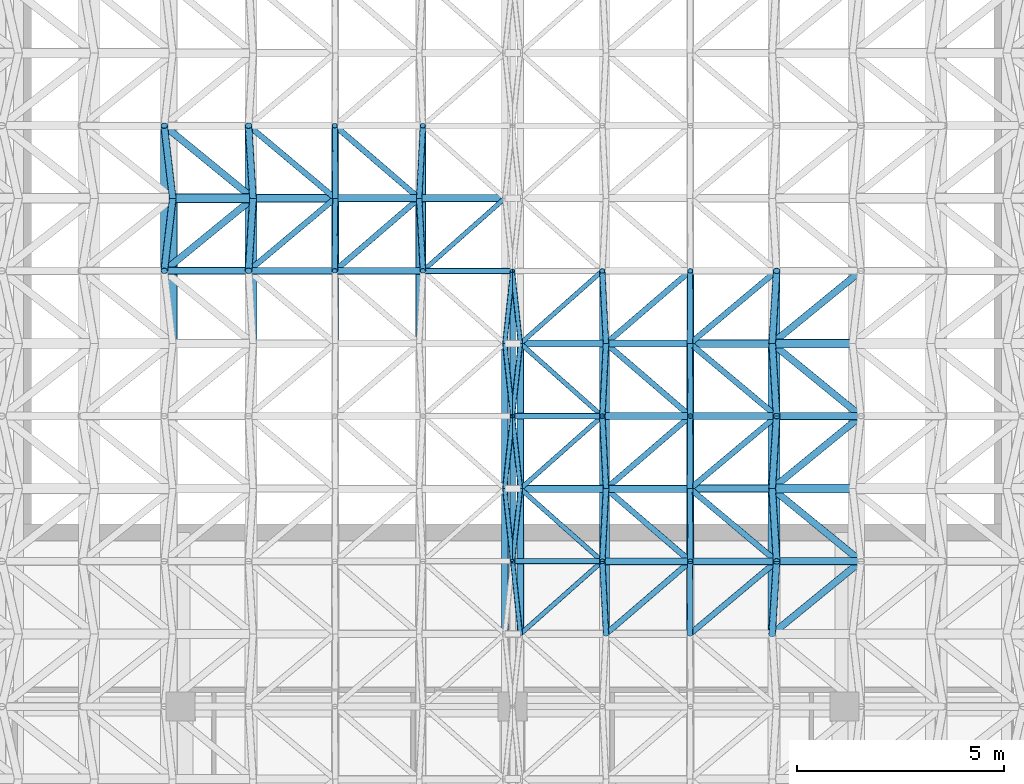
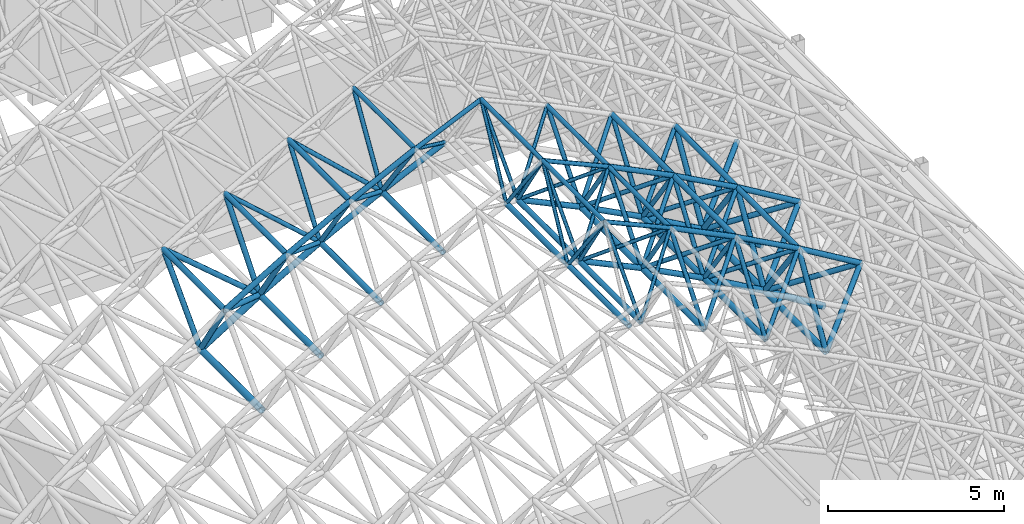
# One storey, part 45 of 141: 109 members.
"""IFC4 building model written with IfcOpenShell, lengths in metres."""

import ifcopenshell
import ifcopenshell.guid

model = None  # the IFC model being written
_history = None  # IfcOwnerHistory: only IFC2X3 demands one
_inside = {}  # id of a spatial element -> (the spatial element, [elements in it])
_under = {}  # id of a project, library or spatial element -> (it, [spatial elements below it])
_declared = {}  # id of a project -> (the project, [libraries it declares])
_typed = {}  # id of a type object -> (the type object, [elements of that type])
_made_of = {}  # id of a material, layer set ... -> (it, [elements and type objects made of it])


def new_model(schema):
    """Start an empty IFC model of exactly this schema.

    Asked for "IFC4X3", IfcOpenShell would pick the latest addendum, in which some entities
    have other attributes; the version numbers below select the first issue.
    IFC2X3 requires an IfcOwnerHistory on every rooted entity: one is made here for all.
    """
    global model, _history
    if schema == "IFC4X3":
        model = ifcopenshell.file(schema_version=(4, 3, 0, 0))
    else:
        model = ifcopenshell.file(schema=schema)
    _inside.clear()
    _under.clear()
    _declared.clear()
    _typed.clear()
    _made_of.clear()
    _history = None
    if model.schema == "IFC2X3":
        org = make("IfcOrganization", Name="unknown")
        user = make(
            "IfcPersonAndOrganization",
            ThePerson=make("IfcPerson", FamilyName="unknown"),
            TheOrganization=org,
        )
        app = make(
            "IfcApplication",
            ApplicationDeveloper=org,
            Version="unknown",
            ApplicationFullName="unknown",
            ApplicationIdentifier="unknown",
        )
        _history = make(
            "IfcOwnerHistory",
            OwningUser=user,
            OwningApplication=app,
            ChangeAction="ADDED",
            CreationDate=0,
        )
    return model


def make(cls, **values):
    """One entity of the class cls with the attributes given. An attribute that is None is left unset."""
    return model.create_entity(
        cls, **{name: value for name, value in values.items() if value is not None}
    )


def rooted(cls, **values):
    """An entity with a GlobalId (a new one), such as an element, a storey or a relation."""
    return make(cls, GlobalId=ifcopenshell.guid.new(), OwnerHistory=_history, **values)


def si_unit(unit_type, name, prefix=None):
    """IfcSIUnit, for example si_unit("LENGTHUNIT", "METRE", prefix="MILLI")."""
    return make("IfcSIUnit", UnitType=unit_type, Prefix=prefix, Name=name)


def assignment(units):
    """IfcUnitAssignment: the units of a project."""
    return None if units is None else make("IfcUnitAssignment", Units=units)


def point(xyz):
    """IfcCartesianPoint."""
    return None if xyz is None else make("IfcCartesianPoint", Coordinates=xyz)


def direction(xyz):
    """IfcDirection."""
    return None if xyz is None else make("IfcDirection", DirectionRatios=xyz)


def frame(location, z_axis=None, x_axis=None):
    """IfcAxis2Placement3D, a coordinate frame: its origin and axes. An axis left out is left unset."""
    return make(
        "IfcAxis2Placement3D",
        Location=point(location),
        Axis=direction(z_axis),
        RefDirection=direction(x_axis),
    )


def frame_2d(location, x_axis=None):
    """IfcAxis2Placement2D, a coordinate frame in the plane: its origin and x axis."""
    return make(
        "IfcAxis2Placement2D", Location=point(location), RefDirection=direction(x_axis)
    )


def origin():
    """The frame at (0, 0, 0) with its axes left unset."""
    return frame((0.0, 0.0, 0.0))


def origin_2d():
    """The frame at (0, 0) in the plane with its x axis left unset."""
    return frame_2d((0.0, 0.0))


def place(relative_to, where):
    """IfcLocalPlacement: puts the frame where relative to a parent placement (None: the world)."""
    return make(
        "IfcLocalPlacement", PlacementRelTo=relative_to, RelativePlacement=where
    )


def context(
    kind, dimensions, precision=None, world=None, true_north=None, identifier=None
):
    """IfcGeometricRepresentationContext, for example the 3D "Model" context."""
    return make(
        "IfcGeometricRepresentationContext",
        ContextIdentifier=identifier,
        ContextType=kind,
        CoordinateSpaceDimension=dimensions,
        Precision=precision,
        WorldCoordinateSystem=world,
        TrueNorth=true_north,
    )


def subcontext(parent, identifier, kind, view, scale=None):
    """IfcGeometricRepresentationSubContext, for example "Body" below "Model"."""
    return make(
        "IfcGeometricRepresentationSubContext",
        ContextIdentifier=identifier,
        ContextType=kind,
        ParentContext=parent,
        TargetScale=scale,
        TargetView=view,
    )


def project(units=None, contexts=None):
    """IfcProject with its units and contexts."""
    return rooted(
        "IfcProject",
        Name="project",
        RepresentationContexts=contexts,
        UnitsInContext=assignment(units),
    )


def spatial(cls, under=None, at=None, **own):
    """A site, building, storey or space (cls), placed at a placement, below another one or the project."""
    s = rooted(cls, ObjectPlacement=at, **own)
    if under is not None:
        _under.setdefault(under.id(), (under, []))[1].append(s)
    return s


def profile(cls, at=None, kind="AREA", **sizes):
    """A parametric profile (cls). Its sizes go by their IFC names, for example OverallWidth=200.0."""
    return make(cls, ProfileType=kind, Position=at, **sizes)


def hollow_circle(**sizes):
    """IfcCircleHollowProfileDef."""
    return profile("IfcCircleHollowProfileDef", **sizes)


def extrude(swept, where, along, depth):
    """IfcExtrudedAreaSolid: the profile swept, set in the frame where, extruded along a direction by depth."""
    return make(
        "IfcExtrudedAreaSolid",
        SweptArea=swept,
        Position=where,
        ExtrudedDirection=direction(along),
        Depth=depth,
    )


def shape(context_of_items, identifier, shape_type, items):
    """IfcShapeRepresentation: the items that make up one representation, for example the "Body"."""
    return make(
        "IfcShapeRepresentation",
        ContextOfItems=context_of_items,
        RepresentationIdentifier=identifier,
        RepresentationType=shape_type,
        Items=items,
    )


def material(Name=None, Category=None):
    """IfcMaterial."""
    return make("IfcMaterial", Name=Name, Category=Category)


def material_profile(
    of_material, cross_section, Name=None, Category=None, Priority=None
):
    """IfcMaterialProfile: a cross section and its material."""
    return make(
        "IfcMaterialProfile",
        Name=Name,
        Material=of_material,
        Profile=cross_section,
        Priority=Priority,
        Category=Category,
    )


def profile_set(profiles, Name=None, composite=None):
    """IfcMaterialProfileSet."""
    return make(
        "IfcMaterialProfileSet",
        Name=Name,
        MaterialProfiles=profiles,
        CompositeProfile=composite,
    )


def made_of(thing, what):
    """Note that an element or type object is made of a material, layer set ...; save() writes the relation."""
    if what is not None:
        _made_of.setdefault(what.id(), (what, []))[1].append(thing)
    return thing


def type_object(cls, material=None, **own):
    """A type object (cls), such as IfcWallType, which elements share."""
    return made_of(rooted(cls, **own), material)


def element(
    cls,
    number,
    at=None,
    inside=None,
    cuts=None,
    type_object=None,
    material=None,
    context=None,
    identifier="Body",
    shape_type=None,
    held_by="IfcProductDefinitionShape",
    body=None,
    shapes=None,
    **own,
):
    """One element of the class cls, such as IfcWall. Its Tag is "e" and its number.

    at: its placement. inside: the storey or other place that contains it. cuts: it is an
    opening in that element (IfcRelVoidsElement). A single representation is given by context,
    identifier, shape_type and body (its items); several are given by shapes. held_by: the class
    of the entity that holds the representations. save() writes the other relations.
    """
    e = rooted(cls, Tag="e%d" % number, ObjectPlacement=at, **own)
    if body is not None:
        shapes = [shape(context, identifier, shape_type, body)]
    if shapes is not None:
        e.Representation = make(held_by, Representations=shapes)
    if inside is not None:
        _inside.setdefault(inside.id(), (inside, []))[1].append(e)
    if cuts is not None:
        rooted(
            "IfcRelVoidsElement", RelatingBuildingElement=cuts, RelatedOpeningElement=e
        )
    if type_object is not None:
        _typed.setdefault(type_object.id(), (type_object, []))[1].append(e)
    return made_of(e, material)


def aggregate(whole, parts):
    """IfcRelAggregates: a whole, such as a stair, and the parts it consists of."""
    return rooted("IfcRelAggregates", RelatingObject=whole, RelatedObjects=parts)


def save(model, path):
    """Write the relations noted so far, then the file.

    IfcRelAggregates (storeys below a building ...), IfcRelContainedInSpatialStructure (elements
    in a storey), IfcRelDefinesByType, IfcRelAssociatesMaterial and IfcRelDeclares: one each for
    every whole, place, type object, material and project.
    """
    for whole, parts in _under.values():
        aggregate(whole, parts)
    for where, things in _inside.values():
        rooted(
            "IfcRelContainedInSpatialStructure",
            RelatedElements=things,
            RelatingStructure=where,
        )
    for kind, things in _typed.values():
        rooted("IfcRelDefinesByType", RelatedObjects=things, RelatingType=kind)
    for what, things in _made_of.values():
        rooted("IfcRelAssociatesMaterial", RelatedObjects=things, RelatingMaterial=what)
    for by, libraries in _declared.values():
        rooted("IfcRelDeclares", RelatingContext=by, RelatedDefinitions=libraries)
    model.write(path)


model = new_model("IFC4")

# Units and contexts
model_context = context("Model", 3, precision=1e-05, world=origin(), true_north=direction((0.0, 1.0)))
body_context = subcontext(model_context, "Body", "Model", "MODEL_VIEW")
ifc_project = project(units=[si_unit("LENGTHUNIT", "METRE"), si_unit("AREAUNIT", "SQUARE_METRE"), si_unit("VOLUMEUNIT", "CUBIC_METRE"), si_unit("PLANEANGLEUNIT", "RADIAN"), si_unit("MASSUNIT", "GRAM", prefix="KILO")], contexts=[model_context])

# Site, building, storey
site_placement = place(None, origin())
site = spatial("IfcSite", under=ifc_project, at=site_placement, CompositionType="ELEMENT")
building_placement = place(site_placement, origin())
building = spatial("IfcBuilding", under=site, at=building_placement, Name="Lantern Court Media Centre", CompositionType="ELEMENT")
storey_placement = place(building_placement, frame((0.0, 0.0, 9.60009765625)))
storey = spatial("IfcBuildingStorey", under=building, at=storey_placement, Name="L02", CompositionType="ELEMENT", Elevation=9.60009765625)

# Members
ifc_material = material(Name="Steel S355J2 (EN 10025-2)", Category="steel")
ifc_material_profile_1 = material_profile(ifc_material, hollow_circle(Radius=0.084228515625, WallThickness=0.00634765625, at=origin_2d()), Name="Studio Hall bottom CHS 168.3x6.3")
ifc_profile_set_1 = profile_set([ifc_material_profile_1], Name="Steel S355J2 (EN 10025-2)")
member_type_1 = type_object("IfcMemberType", Name="Studio Hall bottom CHS 168.3x6.3", PredefinedType="CHORD", material=ifc_profile_set_1)
for number, where, z_axis, x_axis, name in (
    (1, (87.812255859375, 13.75, 12.31884765625), (0.0, 1.0, 0.0), (-1.0, 0.0, 0.0), "Studio Hall bottom chord 08-05"),
    (2, (88.187744140625, 13.75, 12.31884765625), (0.0, 1.0, 0.0), (-1.0, 0.0, 0.0), "Studio Hall bottom chord 09-05"),
    (3, (87.812255859375, 17.25, 12.31884765625), (0.0, 1.0, 0.0), (-1.0, 0.0, 0.0), "Studio Hall bottom chord 08-06"),
    (4, (88.187744140625, 17.25, 12.31884765625), (0.0, 1.0, 0.0), (-1.0, 0.0, 0.0), "Studio Hall bottom chord 09-06"),
):
    element("IfcMember", number, at=place(storey_placement, frame(where, z_axis=z_axis, x_axis=x_axis)), inside=storey, type_object=member_type_1, Name=name, PredefinedType="CHORD", context=body_context, shape_type="SweptSolid", body=[
        extrude(hollow_circle(Radius=0.084228515625, WallThickness=0.00634765625, at=origin_2d()), origin(), (0.0, 0.0, 1.0), 3.5),
    ])
ifc_material_profile_2 = material_profile(ifc_material, hollow_circle(Radius=0.0888671875, WallThickness=0.008056640625, at=origin_2d()), Name="Studio Hall bottom CHS 177.8x8")
ifc_profile_set_2 = profile_set([ifc_material_profile_2], Name="Steel S355J2 (EN 10025-2)")
member_type_2 = type_object("IfcMemberType", Name="Studio Hall bottom CHS 177.8x8", PredefinedType="CHORD", material=ifc_profile_set_2)
for number, where, z_axis, x_axis, name in (
    (5, (90.251708984375, 13.75, 11.3466796875), (0.0, 1.0, 0.0), (-1.0, 0.0, 0.0), "Studio Hall bottom chord 10-05"),
    (6, (92.275634765625, 13.75, 10.2939453125), (0.0, 1.0, 0.0), (-1.0, 0.0, 0.0), "Studio Hall bottom chord 11-05"),
    (7, (90.251708984375, 17.25, 11.3466796875), (0.0, 1.0, 0.0), (-1.0, 0.0, 0.0), "Studio Hall bottom chord 10-06"),
    (8, (92.275634765625, 17.25, 10.2939453125), (0.0, 1.0, 0.0), (-1.0, 0.0, 0.0), "Studio Hall bottom chord 11-06"),
    (9, (83.724365234375, 20.75, 10.2939453125), (0.0, 1.0, 0.0), (-1.0, 0.0, 0.0), "Studio Hall bottom chord 06-07"),
    (10, (85.748291015625, 20.75, 11.3466796875), (0.0, 1.0, 0.0), (-1.0, 0.0, 0.0), "Studio Hall bottom chord 07-07"),
):
    element("IfcMember", number, at=place(storey_placement, frame(where, z_axis=z_axis, x_axis=x_axis)), inside=storey, type_object=member_type_2, Name=name, PredefinedType="CHORD", context=body_context, shape_type="SweptSolid", body=[
        extrude(hollow_circle(Radius=0.0888671875, WallThickness=0.008056640625, at=origin_2d()), origin(), (0.0, 0.0, 1.0), 3.5),
    ])
member_1_placement = place(storey_placement, frame((88.187744140625, 17.25, 12.31884765625), z_axis=(0.904668285171, 0.0, -0.426116526088), x_axis=(0.0, 1.0, 0.0)))
element("IfcMember", 11, at=member_1_placement, inside=storey, type_object=member_type_2, Name="Studio Hall bottom chord 09-06 across", PredefinedType="CHORD", context=body_context, shape_type="SweptSolid", body=[
    extrude(hollow_circle(Radius=0.0888671875, WallThickness=0.008056640625, at=origin_2d()), origin(), (0.0, 0.0, 1.0), 2.281494140625),
])
member_2_placement = place(storey_placement, frame((90.251708984375, 17.25, 11.3466796875), z_axis=(0.887164230848, 0.0, -0.461453819471), x_axis=(0.0, 1.0, 0.0)))
element("IfcMember", 12, at=member_2_placement, inside=storey, type_object=member_type_2, Name="Studio Hall bottom chord 10-06 across", PredefinedType="CHORD", context=body_context, shape_type="SweptSolid", body=[
    extrude(hollow_circle(Radius=0.0888671875, WallThickness=0.008056640625, at=origin_2d()), origin(), (0.0, 0.0, 1.0), 2.28125),
])
member_3_placement = place(storey_placement, frame((88.187744140625, 20.75, 12.31884765625), z_axis=(0.904668285171, 0.0, -0.426116526088), x_axis=(0.0, 1.0, 0.0)))
element("IfcMember", 13, at=member_3_placement, inside=storey, type_object=member_type_2, Name="Studio Hall bottom chord 09-07 across", PredefinedType="CHORD", context=body_context, shape_type="SweptSolid", body=[
    extrude(hollow_circle(Radius=0.0888671875, WallThickness=0.008056640625, at=origin_2d()), origin(), (0.0, 0.0, 1.0), 2.281494140625),
])
for number, where, z_axis, x_axis, name in (
    (14, (90.251708984375, 20.75, 11.3466796875), (0.887164230848, 0.0, -0.461453819471), (0.0, 1.0, 0.0), "Studio Hall bottom chord 10-07 across"),
    (15, (83.724365234375, 24.25, 10.2939453125), (0.887164230848, 0.0, 0.461453819471), (0.0, 1.0, 0.0), "Studio Hall bottom chord 06-08 across"),
):
    element("IfcMember", number, at=place(storey_placement, frame(where, z_axis=z_axis, x_axis=x_axis)), inside=storey, type_object=member_type_2, Name=name, PredefinedType="CHORD", context=body_context, shape_type="SweptSolid", body=[
        extrude(hollow_circle(Radius=0.0888671875, WallThickness=0.008056640625, at=origin_2d()), origin(), (0.0, 0.0, 1.0), 2.28125),
    ])
member_4_placement = place(storey_placement, frame((85.748291015625, 24.25, 11.3466796875), z_axis=(0.904668285171, 0.0, 0.426116526088), x_axis=(0.0, 1.0, 0.0)))
element("IfcMember", 16, at=member_4_placement, inside=storey, type_object=member_type_2, Name="Studio Hall bottom chord 07-08 across", PredefinedType="CHORD", context=body_context, shape_type="SweptSolid", body=[
    extrude(hollow_circle(Radius=0.0888671875, WallThickness=0.008056640625, at=origin_2d()), origin(), (0.0, 0.0, 1.0), 2.281494140625),
])
ifc_material_profile_3 = material_profile(ifc_material, hollow_circle(Radius=0.096923828125, WallThickness=0.008056640625, at=origin_2d()), Name="Studio Hall bottom CHS 193.7x8")
ifc_profile_set_3 = profile_set([ifc_material_profile_3], Name="Steel S355J2 (EN 10025-2)")
member_type_3 = type_object("IfcMemberType", Name="Studio Hall bottom CHS 193.7x8", PredefinedType="CHORD", material=ifc_profile_set_3)
for number, where, z_axis, x_axis, name in (
    (17, (94.25634765625, 13.75, 9.162109375), (0.0, 1.0, 0.0), (-1.0, 0.0, 0.0), "Studio Hall bottom chord 12-05"),
    (18, (94.25634765625, 17.25, 9.162109375), (0.0, 1.0, 0.0), (-1.0, 0.0, 0.0), "Studio Hall bottom chord 12-06"),
    (19, (81.74365234375, 20.75, 9.162109375), (0.0, 1.0, 0.0), (-1.0, 0.0, 0.0), "Studio Hall bottom chord 05-07"),
):
    element("IfcMember", number, at=place(storey_placement, frame(where, z_axis=z_axis, x_axis=x_axis)), inside=storey, type_object=member_type_3, Name=name, PredefinedType="CHORD", context=body_context, shape_type="SweptSolid", body=[
        extrude(hollow_circle(Radius=0.096923828125, WallThickness=0.008056640625, at=origin_2d()), origin(), (0.0, 0.0, 1.0), 3.5),
    ])
for number, where, z_axis, x_axis, name in (
    (20, (92.275634765625, 17.25, 10.2939453125), (0.868243142124, 0.0, -0.496138938357), (0.0, 1.0, 0.0), "Studio Hall bottom chord 11-06 across"),
    (21, (92.275634765625, 20.75, 10.2939453125), (0.868243142124, 0.0, -0.496138938357), (0.0, 1.0, 0.0), "Studio Hall bottom chord 11-07 across"),
    (22, (81.74365234375, 24.25, 9.162109375), (0.868243142124, 0.0, 0.496138938357), (0.0, 1.0, 0.0), "Studio Hall bottom chord 05-08 across"),
):
    element("IfcMember", number, at=place(storey_placement, frame(where, z_axis=z_axis, x_axis=x_axis)), inside=storey, type_object=member_type_3, Name=name, PredefinedType="CHORD", context=body_context, shape_type="SweptSolid", body=[
        extrude(hollow_circle(Radius=0.096923828125, WallThickness=0.008056640625, at=origin_2d()), origin(), (0.0, 0.0, 1.0), 2.28125),
    ])
ifc_material_profile_4 = material_profile(ifc_material, hollow_circle(Radius=0.109619140625, WallThickness=0.010009765625, at=origin_2d()), Name="Studio Hall bottom CHS 219.1x10")
ifc_profile_set_4 = profile_set([ifc_material_profile_4], Name="Steel S355J2 (EN 10025-2)")
member_type_4 = type_object("IfcMemberType", Name="Studio Hall bottom CHS 219.1x10", PredefinedType="CHORD", material=ifc_profile_set_4)
member_5_placement = place(storey_placement, frame((79.80908203125, 20.75, 7.953125), z_axis=(0.0, 1.0, 0.0), x_axis=(-1.0, 0.0, 0.0)))
element("IfcMember", 23, at=member_5_placement, inside=storey, type_object=member_type_4, Name="Studio Hall bottom chord 04-07", PredefinedType="CHORD", context=body_context, shape_type="SweptSolid", body=[
    extrude(hollow_circle(Radius=0.109619140625, WallThickness=0.010009765625, at=origin_2d()), origin(), (0.0, 0.0, 1.0), 3.5),
])
for number, where, z_axis, x_axis, name in (
    (24, (94.25634765625, 17.25, 9.162109375), (0.848022352453, 0.0, -0.529960460544), (0.0, 1.0, 0.0), "Studio Hall bottom chord 12-06 across"),
    (25, (94.25634765625, 20.75, 9.162109375), (0.848022352453, 0.0, -0.529960460544), (0.0, 1.0, 0.0), "Studio Hall bottom chord 12-07 across"),
    (26, (79.80908203125, 24.25, 7.953125), (0.848022352453, 0.0, 0.529960460544), (0.0, 1.0, 0.0), "Studio Hall bottom chord 04-08 across"),
):
    element("IfcMember", number, at=place(storey_placement, frame(where, z_axis=z_axis, x_axis=x_axis)), inside=storey, type_object=member_type_4, Name=name, PredefinedType="CHORD", context=body_context, shape_type="SweptSolid", body=[
        extrude(hollow_circle(Radius=0.109619140625, WallThickness=0.010009765625, at=origin_2d()), origin(), (0.0, 0.0, 1.0), 2.28125),
    ])
ifc_material_profile_5 = material_profile(ifc_material, hollow_circle(Radius=0.05712890625, WallThickness=0.0048828125, at=origin_2d()), Name="Studio Hall diagonal CHS 114.3x5")
ifc_profile_set_5 = profile_set([ifc_material_profile_5], Name="Steel S355J2 (EN 10025-2)")
member_type_5 = type_object("IfcMemberType", Name="Studio Hall diagonal CHS 114.3x5", PredefinedType="BRACE", material=ifc_profile_set_5)
member_6_placement = place(storey_placement, frame((88.187744140625, 13.75, 12.31884765625), z_axis=(0.64897917405, 0.57530085575, 0.497850335967), x_axis=(-0.663352272412, 0.748307264889, 0.0)))
element("IfcMember", 27, at=member_6_placement, inside=storey, type_object=member_type_5, Name="Studio Hall diagonal 09-05-3", PredefinedType="BRACE", context=body_context, shape_type="SweptSolid", body=[
    extrude(hollow_circle(Radius=0.05712890625, WallThickness=0.0048828125, at=origin_2d()), origin(), (0.0, 0.0, 1.0), 3.0419921875),
])
for number, where, z_axis, x_axis, name in (
    (28, (88.187744140625, 13.75, 12.31884765625), (-0.061720233377, 0.575306414621, 0.815605996844), (-0.994294451035, -0.106670261279, 0.0), "Studio Hall diagonal 09-05-4"),
    (29, (87.812255859375, 17.25, 12.31884765625), (0.061720233377, -0.575306414621, 0.815605996844), (0.994294451035, 0.106670261279, 0.0), "Studio Hall diagonal 08-06-2"),
    (30, (87.812255859375, 17.25, 12.31884765625), (0.061720233377, 0.575306414621, 0.815605996844), (-0.994294451035, 0.106670261279, 0.0), "Studio Hall diagonal 08-06-3"),
    (31, (88.187744140625, 17.25, 12.31884765625), (-0.061720233377, -0.575306414621, 0.815605996844), (0.994294451035, -0.106670261279, 0.0), "Studio Hall diagonal 09-06-1"),
):
    element("IfcMember", number, at=place(storey_placement, frame(where, z_axis=z_axis, x_axis=x_axis)), inside=storey, type_object=member_type_5, Name=name, PredefinedType="BRACE", context=body_context, shape_type="SweptSolid", body=[
        extrude(hollow_circle(Radius=0.05712890625, WallThickness=0.0048828125, at=origin_2d()), origin(), (0.0, 0.0, 1.0), 3.041748046875),
    ])
for number, where, z_axis, x_axis, name in (
    (32, (88.187744140625, 17.25, 12.31884765625), (0.64897917405, -0.57530085575, 0.497850335967), (0.663352272412, 0.748307264889, 0.0), "Studio Hall diagonal 09-06-2"),
    (33, (88.187744140625, 17.25, 12.31884765625), (0.64897917405, 0.57530085575, 0.497850335967), (-0.663352272412, 0.748307264889, 0.0), "Studio Hall diagonal 09-06-3"),
):
    element("IfcMember", number, at=place(storey_placement, frame(where, z_axis=z_axis, x_axis=x_axis)), inside=storey, type_object=member_type_5, Name=name, PredefinedType="BRACE", context=body_context, shape_type="SweptSolid", body=[
        extrude(hollow_circle(Radius=0.05712890625, WallThickness=0.0048828125, at=origin_2d()), origin(), (0.0, 0.0, 1.0), 3.0419921875),
    ])
for number, where, z_axis, x_axis, name in (
    (34, (88.187744140625, 17.25, 12.31884765625), (-0.061720233377, 0.575306414621, 0.815605996844), (-0.994294451035, -0.106670261279, 0.0), "Studio Hall diagonal 09-06-4"),
    (35, (87.812255859375, 20.75, 12.31884765625), (0.061720233377, -0.575306414621, 0.815605996844), (0.994294451035, 0.106670261279, 0.0), "Studio Hall diagonal 08-07-2"),
    (36, (87.812255859375, 20.75, 12.31884765625), (0.061720233377, 0.575306414621, 0.815605996844), (-0.994294451035, 0.106670261279, 0.0), "Studio Hall diagonal 08-07-3"),
    (37, (88.187744140625, 20.75, 12.31884765625), (-0.061720233377, -0.575306414621, 0.815605996844), (0.994294451035, -0.106670261279, 0.0), "Studio Hall diagonal 09-07-1"),
):
    element("IfcMember", number, at=place(storey_placement, frame(where, z_axis=z_axis, x_axis=x_axis)), inside=storey, type_object=member_type_5, Name=name, PredefinedType="BRACE", context=body_context, shape_type="SweptSolid", body=[
        extrude(hollow_circle(Radius=0.05712890625, WallThickness=0.0048828125, at=origin_2d()), origin(), (0.0, 0.0, 1.0), 3.041748046875),
    ])
for number, where, z_axis, x_axis, name in (
    (38, (88.187744140625, 20.75, 12.31884765625), (0.64897917405, -0.57530085575, 0.497850335967), (0.663352272412, 0.748307264889, 0.0), "Studio Hall diagonal 09-07-2"),
    (39, (88.187744140625, 20.75, 12.31884765625), (0.64897917405, 0.57530085575, 0.497850335967), (-0.663352272412, 0.748307264889, 0.0), "Studio Hall diagonal 09-07-3"),
):
    element("IfcMember", number, at=place(storey_placement, frame(where, z_axis=z_axis, x_axis=x_axis)), inside=storey, type_object=member_type_5, Name=name, PredefinedType="BRACE", context=body_context, shape_type="SweptSolid", body=[
        extrude(hollow_circle(Radius=0.05712890625, WallThickness=0.0048828125, at=origin_2d()), origin(), (0.0, 0.0, 1.0), 3.0419921875),
    ])
member_7_placement = place(storey_placement, frame((88.187744140625, 20.75, 12.31884765625), z_axis=(-0.061720233377, 0.575306414621, 0.815605996844), x_axis=(-0.994294451035, -0.106670261279, 0.0)))
element("IfcMember", 40, at=member_7_placement, inside=storey, type_object=member_type_5, Name="Studio Hall diagonal 09-07-4", PredefinedType="BRACE", context=body_context, shape_type="SweptSolid", body=[
    extrude(hollow_circle(Radius=0.05712890625, WallThickness=0.0048828125, at=origin_2d()), origin(), (0.0, 0.0, 1.0), 3.041748046875),
])
member_8_placement = place(storey_placement, frame((87.812255859375, 24.25, 12.31884765625), z_axis=(-0.64897917405, -0.57530085575, 0.497850335967), x_axis=(0.663352272412, -0.748307264889, 0.0)))
element("IfcMember", 41, at=member_8_placement, inside=storey, type_object=member_type_5, Name="Studio Hall diagonal 08-08-1", PredefinedType="BRACE", context=body_context, shape_type="SweptSolid", body=[
    extrude(hollow_circle(Radius=0.05712890625, WallThickness=0.0048828125, at=origin_2d()), origin(), (0.0, 0.0, 1.0), 3.0419921875),
])
ifc_material_profile_6 = material_profile(ifc_material, hollow_circle(Radius=0.06982421875, WallThickness=0.00634765625, at=origin_2d()), Name="Studio Hall diagonal CHS 139.7x6.3")
ifc_profile_set_6 = profile_set([ifc_material_profile_6], Name="Steel S355J2 (EN 10025-2)")
member_type_6 = type_object("IfcMemberType", Name="Studio Hall diagonal CHS 139.7x6.3", PredefinedType="BRACE", material=ifc_profile_set_6)
for number, where, z_axis, x_axis, name in (
    (42, (90.251708984375, 13.75, 11.3466796875), (0.668074997838, 0.575295721349, 0.471922271419), (-0.652528943422, 0.757763800927, 0.0), "Studio Hall diagonal 10-05-3"),
    (43, (90.251708984375, 13.75, 11.3466796875), (-0.029534674704, 0.575284098581, 0.817420276792), (-0.998684738299, -0.051271761118, 0.0), "Studio Hall diagonal 10-05-4"),
    (44, (92.275634765625, 13.75, 10.2939453125), (0.686219606918, 0.575300835367, 0.445119759061), (-0.642456097081, 0.76632249303, 0.0), "Studio Hall diagonal 11-05-3"),
    (45, (92.275634765625, 13.75, 10.2939453125), (0.002728673556, 0.575268589684, 0.817960025957), (-0.999988750725, 0.004743250213, 0.0), "Studio Hall diagonal 11-05-4"),
    (46, (90.251708984375, 17.25, 11.3466796875), (-0.029534674704, -0.575284098581, 0.817420276792), (0.998684738299, -0.051271761118, 0.0), "Studio Hall diagonal 10-06-1"),
    (47, (90.251708984375, 17.25, 11.3466796875), (0.668074997838, -0.575295721349, 0.471922271419), (0.652528943422, 0.757763800927, 0.0), "Studio Hall diagonal 10-06-2"),
    (48, (90.251708984375, 17.25, 11.3466796875), (0.668074997838, 0.575295721349, 0.471922271419), (-0.652528943422, 0.757763800927, 0.0), "Studio Hall diagonal 10-06-3"),
    (49, (90.251708984375, 17.25, 11.3466796875), (-0.029534674704, 0.575284098581, 0.817420276792), (-0.998684738299, -0.051271761118, 0.0), "Studio Hall diagonal 10-06-4"),
    (50, (92.275634765625, 17.25, 10.2939453125), (0.002728673556, -0.575268589684, 0.817960025957), (0.999988750725, 0.004743250213, 0.0), "Studio Hall diagonal 11-06-1"),
    (51, (92.275634765625, 17.25, 10.2939453125), (0.686219606918, -0.575300835367, 0.445119759061), (0.642456097081, 0.76632249303, 0.0), "Studio Hall diagonal 11-06-2"),
    (52, (92.275634765625, 17.25, 10.2939453125), (0.686219606918, 0.575300835367, 0.445119759061), (-0.642456097081, 0.76632249303, 0.0), "Studio Hall diagonal 11-06-3"),
    (53, (92.275634765625, 17.25, 10.2939453125), (0.002728673556, 0.575268589684, 0.817960025957), (-0.999988750725, 0.004743250213, 0.0), "Studio Hall diagonal 11-06-4"),
    (54, (90.251708984375, 20.75, 11.3466796875), (-0.029534674704, -0.575284098581, 0.817420276792), (0.998684738299, -0.051271761118, 0.0), "Studio Hall diagonal 10-07-1"),
    (55, (90.251708984375, 20.75, 11.3466796875), (0.668074997838, -0.575295721349, 0.471922271419), (0.652528943422, 0.757763800927, 0.0), "Studio Hall diagonal 10-07-2"),
    (56, (90.251708984375, 20.75, 11.3466796875), (0.668074997838, 0.575295721349, 0.471922271419), (-0.652528943422, 0.757763800927, 0.0), "Studio Hall diagonal 10-07-3"),
    (57, (90.251708984375, 20.75, 11.3466796875), (-0.029534674704, 0.575284098581, 0.817420276792), (-0.998684738299, -0.051271761118, 0.0), "Studio Hall diagonal 10-07-4"),
    (58, (92.275634765625, 20.75, 10.2939453125), (0.002728673556, -0.575268589684, 0.817960025957), (0.999988750725, 0.004743250213, 0.0), "Studio Hall diagonal 11-07-1"),
    (59, (92.275634765625, 20.75, 10.2939453125), (0.686219606918, -0.575300835367, 0.445119759061), (0.642456097081, 0.76632249303, 0.0), "Studio Hall diagonal 11-07-2"),
    (60, (92.275634765625, 20.75, 10.2939453125), (0.686219606918, 0.575300835367, 0.445119759061), (-0.642456097081, 0.76632249303, 0.0), "Studio Hall diagonal 11-07-3"),
    (61, (92.275634765625, 20.75, 10.2939453125), (0.002728673556, 0.575268589684, 0.817960025957), (-0.999988750725, 0.004743250213, 0.0), "Studio Hall diagonal 11-07-4"),
    (62, (83.724365234375, 24.25, 10.2939453125), (-0.686219606918, -0.575300835367, 0.445119759061), (0.642456097081, -0.76632249303, 0.0), "Studio Hall diagonal 06-08-1"),
    (63, (83.724365234375, 24.25, 10.2939453125), (-0.002728673556, -0.575268589684, 0.817960025957), (0.999988750725, -0.004743250213, 0.0), "Studio Hall diagonal 06-08-2"),
    (64, (83.724365234375, 24.25, 10.2939453125), (-0.002728673556, 0.575268589684, 0.817960025957), (-0.999988750725, -0.004743250213, 0.0), "Studio Hall diagonal 06-08-3"),
    (65, (83.724365234375, 24.25, 10.2939453125), (-0.686219606918, 0.575300835367, 0.445119759061), (-0.642456097081, -0.76632249303, 0.0), "Studio Hall diagonal 06-08-4"),
    (66, (85.748291015625, 24.25, 11.3466796875), (-0.668074997838, -0.575295721349, 0.471922271419), (0.652528943422, -0.757763800927, 0.0), "Studio Hall diagonal 07-08-1"),
    (67, (85.748291015625, 24.25, 11.3466796875), (0.029534674704, -0.575284098581, 0.817420276792), (0.998684738299, 0.051271761118, 0.0), "Studio Hall diagonal 07-08-2"),
    (68, (85.748291015625, 24.25, 11.3466796875), (0.029534674704, 0.575284098581, 0.817420276792), (-0.998684738299, 0.051271761118, 0.0), "Studio Hall diagonal 07-08-3"),
    (69, (85.748291015625, 24.25, 11.3466796875), (-0.668074997838, 0.575295721349, 0.471922271419), (-0.652528943422, -0.757763800927, 0.0), "Studio Hall diagonal 07-08-4"),
):
    element("IfcMember", number, at=place(storey_placement, frame(where, z_axis=z_axis, x_axis=x_axis)), inside=storey, type_object=member_type_6, Name=name, PredefinedType="BRACE", context=body_context, shape_type="SweptSolid", body=[
        extrude(hollow_circle(Radius=0.06982421875, WallThickness=0.00634765625, at=origin_2d()), origin(), (0.0, 0.0, 1.0), 3.0419921875),
    ])
ifc_material_profile_7 = material_profile(ifc_material, hollow_circle(Radius=0.084228515625, WallThickness=0.00634765625, at=origin_2d()), Name="Studio Hall diagonal CHS 168.3x6.3")
ifc_profile_set_7 = profile_set([ifc_material_profile_7], Name="Steel S355J2 (EN 10025-2)")
member_type_7 = type_object("IfcMemberType", Name="Studio Hall diagonal CHS 168.3x6.3", PredefinedType="BRACE", material=ifc_profile_set_7)
for number, where, z_axis, x_axis, name in (
    (70, (94.25634765625, 13.75, 9.162109375), (0.703225463004, 0.575293325589, 0.417745781207), (-0.633189685482, 0.77399665516, 0.0), "Studio Hall diagonal 12-05-3"),
    (71, (94.25634765625, 13.75, 9.162109375), (0.035073053804, 0.575294392838, 0.817194127773), (-0.99814677432, 0.060852419138, 0.0), "Studio Hall diagonal 12-05-4"),
    (72, (94.25634765625, 17.25, 9.162109375), (0.035073053804, -0.575294392838, 0.817194127773), (0.99814677432, 0.060852419138, 0.0), "Studio Hall diagonal 12-06-1"),
    (73, (94.25634765625, 17.25, 9.162109375), (0.703225463004, -0.575293325589, 0.417745781207), (0.633189685482, 0.77399665516, 0.0), "Studio Hall diagonal 12-06-2"),
    (74, (94.25634765625, 17.25, 9.162109375), (0.703225463004, 0.575293325589, 0.417745781207), (-0.633189685482, 0.77399665516, 0.0), "Studio Hall diagonal 12-06-3"),
    (75, (94.25634765625, 17.25, 9.162109375), (0.035073053804, 0.575294392838, 0.817194127773), (-0.99814677432, 0.060852419138, 0.0), "Studio Hall diagonal 12-06-4"),
    (76, (94.25634765625, 20.75, 9.162109375), (0.035073053804, -0.575294392838, 0.817194127773), (0.99814677432, 0.060852419138, 0.0), "Studio Hall diagonal 12-07-1"),
    (77, (94.25634765625, 20.75, 9.162109375), (0.703225463004, -0.575293325589, 0.417745781207), (0.633189685482, 0.77399665516, 0.0), "Studio Hall diagonal 12-07-2"),
    (78, (94.25634765625, 20.75, 9.162109375), (0.703225463004, 0.575293325589, 0.417745781207), (-0.633189685482, 0.77399665516, 0.0), "Studio Hall diagonal 12-07-3"),
    (79, (94.25634765625, 20.75, 9.162109375), (0.035073053804, 0.575294392838, 0.817194127773), (-0.99814677432, 0.060852419138, 0.0), "Studio Hall diagonal 12-07-4"),
    (80, (81.74365234375, 24.25, 9.162109375), (-0.703225463004, -0.575293325589, 0.417745781207), (0.633189685482, -0.77399665516, 0.0), "Studio Hall diagonal 05-08-1"),
    (81, (81.74365234375, 24.25, 9.162109375), (-0.035073053804, -0.575294392838, 0.817194127773), (0.99814677432, -0.060852419138, 0.0), "Studio Hall diagonal 05-08-2"),
    (82, (81.74365234375, 24.25, 9.162109375), (-0.035073053804, 0.575294392838, 0.817194127773), (-0.99814677432, -0.060852419138, 0.0), "Studio Hall diagonal 05-08-3"),
    (83, (81.74365234375, 24.25, 9.162109375), (-0.703225463004, 0.575293325589, 0.417745781207), (-0.633189685482, -0.77399665516, 0.0), "Studio Hall diagonal 05-08-4"),
):
    element("IfcMember", number, at=place(storey_placement, frame(where, z_axis=z_axis, x_axis=x_axis)), inside=storey, type_object=member_type_7, Name=name, PredefinedType="BRACE", context=body_context, shape_type="SweptSolid", body=[
        extrude(hollow_circle(Radius=0.084228515625, WallThickness=0.00634765625, at=origin_2d()), origin(), (0.0, 0.0, 1.0), 3.0419921875),
    ])
ifc_material_profile_8 = material_profile(ifc_material, hollow_circle(Radius=0.084228515625, WallThickness=0.008056640625, at=origin_2d()), Name="Studio Hall diagonal CHS 168.3x8")
ifc_profile_set_8 = profile_set([ifc_material_profile_8], Name="Steel S355J2 (EN 10025-2)")
member_type_8 = type_object("IfcMemberType", Name="Studio Hall diagonal CHS 168.3x8", PredefinedType="BRACE", material=ifc_profile_set_8)
for number, where, z_axis, x_axis, name in (
    (84, (79.80908203125, 24.25, 7.953125), (-0.067256187735, -0.575289204878, 0.815180308865), (0.993235466132, -0.116117650756, 0.0), "Studio Hall diagonal 04-08-2"),
    (85, (79.80908203125, 24.25, 7.953125), (-0.067256187735, 0.575289204878, 0.815180308865), (-0.993235466132, -0.116117650756, 0.0), "Studio Hall diagonal 04-08-3"),
):
    element("IfcMember", number, at=place(storey_placement, frame(where, z_axis=z_axis, x_axis=x_axis)), inside=storey, type_object=member_type_8, Name=name, PredefinedType="BRACE", context=body_context, shape_type="SweptSolid", body=[
        extrude(hollow_circle(Radius=0.084228515625, WallThickness=0.008056640625, at=origin_2d()), origin(), (0.0, 0.0, 1.0), 3.0419921875),
    ])
ifc_material_profile_9 = material_profile(ifc_material, hollow_circle(Radius=0.06982421875, WallThickness=0.00634765625, at=origin_2d()), Name="Studio Hall top CHS 139.7x6.3")
ifc_profile_set_9 = profile_set([ifc_material_profile_9], Name="Steel S355J2 (EN 10025-2)")
member_type_9 = type_object("IfcMemberType", Name="Studio Hall top CHS 139.7x6.3", PredefinedType="CHORD", material=ifc_profile_set_9)
for number, where, z_axis, x_axis, name in (
    (86, (88.0, 15.5, 14.7998046875), (0.0, 1.0, 0.0), (-1.0, 0.0, 0.0), "Studio Hall top chord 09-06"),
    (87, (90.161865234375, 15.5, 13.833251953125), (0.0, 1.0, 0.0), (-1.0, 0.0, 0.0), "Studio Hall top chord 10-06"),
    (88, (88.0, 19.0, 14.7998046875), (0.0, 1.0, 0.0), (-1.0, 0.0, 0.0), "Studio Hall top chord 09-07"),
    (89, (90.161865234375, 19.0, 13.833251953125), (0.0, 1.0, 0.0), (-1.0, 0.0, 0.0), "Studio Hall top chord 10-07"),
    (90, (85.838134765625, 22.5, 13.833251953125), (0.0, 1.0, 0.0), (-1.0, 0.0, 0.0), "Studio Hall top chord 08-08"),
):
    element("IfcMember", number, at=place(storey_placement, frame(where, z_axis=z_axis, x_axis=x_axis)), inside=storey, type_object=member_type_9, Name=name, PredefinedType="CHORD", context=body_context, shape_type="SweptSolid", body=[
        extrude(hollow_circle(Radius=0.06982421875, WallThickness=0.00634765625, at=origin_2d()), origin(), (0.0, 0.0, 1.0), 3.5),
    ])
for number, where, z_axis, x_axis, name in (
    (91, (88.0, 15.5, 14.7998046875), (0.912912280931, 0.0, -0.408155812559), (0.0, 1.0, 0.0), "Studio Hall top chord 09-06 across"),
    (92, (88.0, 19.0, 14.7998046875), (0.912912280931, 0.0, -0.408155812559), (0.0, 1.0, 0.0), "Studio Hall top chord 09-07 across"),
    (93, (85.838134765625, 22.5, 13.833251953125), (0.912912280931, 0.0, 0.408155812559), (0.0, 1.0, 0.0), "Studio Hall top chord 08-08 across"),
):
    element("IfcMember", number, at=place(storey_placement, frame(where, z_axis=z_axis, x_axis=x_axis)), inside=storey, type_object=member_type_9, Name=name, PredefinedType="CHORD", context=body_context, shape_type="SweptSolid", body=[
        extrude(hollow_circle(Radius=0.06982421875, WallThickness=0.00634765625, at=origin_2d()), origin(), (0.0, 0.0, 1.0), 2.3681640625),
    ])
ifc_material_profile_10 = material_profile(ifc_material, hollow_circle(Radius=0.084228515625, WallThickness=0.00634765625, at=origin_2d()), Name="Studio Hall top CHS 168.3x6.3")
ifc_profile_set_10 = profile_set([ifc_material_profile_10], Name="Steel S355J2 (EN 10025-2)")
member_type_10 = type_object("IfcMemberType", Name="Studio Hall top CHS 168.3x6.3", PredefinedType="CHORD", material=ifc_profile_set_10)
for number, where, z_axis, x_axis, name in (
    (94, (92.283935546875, 15.5, 12.7822265625), (0.0, 1.0, 0.0), (-1.0, 0.0, 0.0), "Studio Hall top chord 11-06"),
    (95, (94.363037109375, 15.5, 11.64794921875), (0.0, 1.0, 0.0), (-1.0, 0.0, 0.0), "Studio Hall top chord 12-06"),
    (96, (92.283935546875, 19.0, 12.7822265625), (0.0, 1.0, 0.0), (-1.0, 0.0, 0.0), "Studio Hall top chord 11-07"),
    (97, (94.363037109375, 19.0, 11.64794921875), (0.0, 1.0, 0.0), (-1.0, 0.0, 0.0), "Studio Hall top chord 12-07"),
    (98, (81.636962890625, 22.5, 11.64794921875), (0.0, 1.0, 0.0), (-1.0, 0.0, 0.0), "Studio Hall top chord 06-08"),
    (99, (83.716064453125, 22.5, 12.7822265625), (0.0, 1.0, 0.0), (-1.0, 0.0, 0.0), "Studio Hall top chord 07-08"),
):
    element("IfcMember", number, at=place(storey_placement, frame(where, z_axis=z_axis, x_axis=x_axis)), inside=storey, type_object=member_type_10, Name=name, PredefinedType="CHORD", context=body_context, shape_type="SweptSolid", body=[
        extrude(hollow_circle(Radius=0.084228515625, WallThickness=0.00634765625, at=origin_2d()), origin(), (0.0, 0.0, 1.0), 3.5),
    ])
member_9_placement = place(storey_placement, frame((90.161865234375, 15.5, 13.833251953125), z_axis=(0.89611157523, 0.0, -0.443828846222), x_axis=(0.0, 1.0, 0.0)))
element("IfcMember", 100, at=member_9_placement, inside=storey, type_object=member_type_10, Name="Studio Hall top chord 10-06 across", PredefinedType="CHORD", context=body_context, shape_type="SweptSolid", body=[
    extrude(hollow_circle(Radius=0.084228515625, WallThickness=0.00634765625, at=origin_2d()), origin(), (0.0, 0.0, 1.0), 2.3681640625),
])
member_10_placement = place(storey_placement, frame((92.283935546875, 15.5, 12.7822265625), z_axis=(0.877856175106, 0.0, -0.478924352929), x_axis=(0.0, 1.0, 0.0)))
element("IfcMember", 101, at=member_10_placement, inside=storey, type_object=member_type_10, Name="Studio Hall top chord 11-06 across", PredefinedType="CHORD", context=body_context, shape_type="SweptSolid", body=[
    extrude(hollow_circle(Radius=0.084228515625, WallThickness=0.00634765625, at=origin_2d()), origin(), (0.0, 0.0, 1.0), 2.368408203125),
])
member_11_placement = place(storey_placement, frame((90.161865234375, 19.0, 13.833251953125), z_axis=(0.89611157523, 0.0, -0.443828846222), x_axis=(0.0, 1.0, 0.0)))
element("IfcMember", 102, at=member_11_placement, inside=storey, type_object=member_type_10, Name="Studio Hall top chord 10-07 across", PredefinedType="CHORD", context=body_context, shape_type="SweptSolid", body=[
    extrude(hollow_circle(Radius=0.084228515625, WallThickness=0.00634765625, at=origin_2d()), origin(), (0.0, 0.0, 1.0), 2.3681640625),
])
for number, where, z_axis, x_axis, name in (
    (103, (92.283935546875, 19.0, 12.7822265625), (0.877856175106, 0.0, -0.478924352929), (0.0, 1.0, 0.0), "Studio Hall top chord 11-07 across"),
    (104, (81.636962890625, 22.5, 11.64794921875), (0.877856175106, 0.0, 0.478924352929), (0.0, 1.0, 0.0), "Studio Hall top chord 06-08 across"),
):
    element("IfcMember", number, at=place(storey_placement, frame(where, z_axis=z_axis, x_axis=x_axis)), inside=storey, type_object=member_type_10, Name=name, PredefinedType="CHORD", context=body_context, shape_type="SweptSolid", body=[
        extrude(hollow_circle(Radius=0.084228515625, WallThickness=0.00634765625, at=origin_2d()), origin(), (0.0, 0.0, 1.0), 2.368408203125),
    ])
member_12_placement = place(storey_placement, frame((83.716064453125, 22.5, 12.7822265625), z_axis=(0.89611157523, 0.0, 0.443828846222), x_axis=(0.0, 1.0, 0.0)))
element("IfcMember", 105, at=member_12_placement, inside=storey, type_object=member_type_10, Name="Studio Hall top chord 07-08 across", PredefinedType="CHORD", context=body_context, shape_type="SweptSolid", body=[
    extrude(hollow_circle(Radius=0.084228515625, WallThickness=0.00634765625, at=origin_2d()), origin(), (0.0, 0.0, 1.0), 2.3681640625),
])
ifc_material_profile_11 = material_profile(ifc_material, hollow_circle(Radius=0.0888671875, WallThickness=0.008056640625, at=origin_2d()), Name="Studio Hall top CHS 177.8x8")
ifc_profile_set_11 = profile_set([ifc_material_profile_11], Name="Steel S355J2 (EN 10025-2)")
member_type_11 = type_object("IfcMemberType", Name="Studio Hall top CHS 177.8x8", PredefinedType="CHORD", material=ifc_profile_set_11)
member_13_placement = place(storey_placement, frame((79.6044921875, 22.5, 10.432861328125), z_axis=(0.0, 1.0, 0.0), x_axis=(-1.0, 0.0, 0.0)))
element("IfcMember", 106, at=member_13_placement, inside=storey, type_object=member_type_11, Name="Studio Hall top chord 05-08", PredefinedType="CHORD", context=body_context, shape_type="SweptSolid", body=[
    extrude(hollow_circle(Radius=0.0888671875, WallThickness=0.008056640625, at=origin_2d()), origin(), (0.0, 0.0, 1.0), 3.5),
])
for number, where, z_axis, x_axis, name in (
    (107, (94.363037109375, 15.5, 11.64794921875), (0.858310578199, 0.0, -0.513130540264), (0.0, 1.0, 0.0), "Studio Hall top chord 12-06 across"),
    (108, (94.363037109375, 19.0, 11.64794921875), (0.858310578199, 0.0, -0.513130540264), (0.0, 1.0, 0.0), "Studio Hall top chord 12-07 across"),
    (109, (79.6044921875, 22.5, 10.432861328125), (0.858310578199, 0.0, 0.513130540264), (0.0, 1.0, 0.0), "Studio Hall top chord 05-08 across"),
):
    element("IfcMember", number, at=place(storey_placement, frame(where, z_axis=z_axis, x_axis=x_axis)), inside=storey, type_object=member_type_11, Name=name, PredefinedType="CHORD", context=body_context, shape_type="SweptSolid", body=[
        extrude(hollow_circle(Radius=0.0888671875, WallThickness=0.008056640625, at=origin_2d()), origin(), (0.0, 0.0, 1.0), 2.367919921875),
    ])

save(model, "model.ifc")
